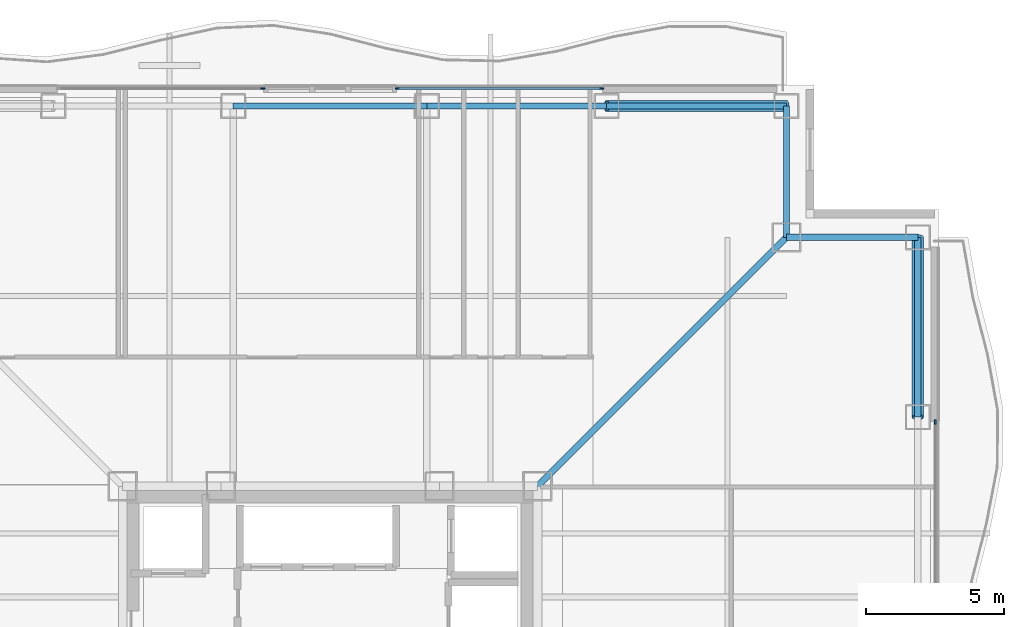
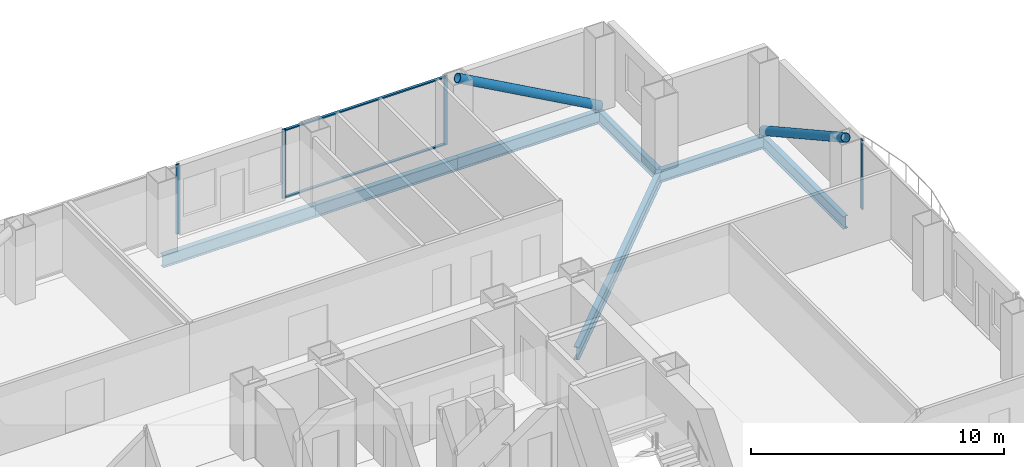
# One storey, part 10 of 18: 8 members, 7 beams, 3 elements without a shape of their own.
"""IFC4 building model written with IfcOpenShell, lengths in metres."""

from ifc_helpers import new_model, si_unit, direction, frame, origin, origin_2d, place, context, subcontext, project, spatial, rectangle, hollow_circle, i_section, extrude, material, layer, layer_set, material_profile, profile_set, type_object, element, aggregate, save


model = new_model("IFC4")

# Units and contexts
model_context = context("Model", 3, precision=1e-05, world=origin(), true_north=direction((0.0, 1.0)))
body_context = subcontext(model_context, "Body", "Model", "MODEL_VIEW")
ifc_project = project(units=[si_unit("LENGTHUNIT", "METRE"), si_unit("AREAUNIT", "SQUARE_METRE"), si_unit("VOLUMEUNIT", "CUBIC_METRE"), si_unit("PLANEANGLEUNIT", "RADIAN"), si_unit("MASSUNIT", "GRAM", prefix="KILO")], contexts=[model_context])

# Site, building, storey
site_placement = place(None, origin())
site = spatial("IfcSite", under=ifc_project, at=site_placement, CompositionType="ELEMENT")
building_placement = place(site_placement, origin())
building = spatial("IfcBuilding", under=site, at=building_placement, Name="Trevonay Congress Spire", CompositionType="ELEMENT")
storey_placement = place(building_placement, frame((0.0, 0.0, 122.800048828125)))
storey = spatial("IfcBuildingStorey", under=building, at=storey_placement, Name="L31", CompositionType="ELEMENT", Elevation=122.800048828125)

# Beams
ifc_material_1 = material(Name="Steel ASTM A572 Grade 50", Category="steel")
ifc_material_profile_1 = material_profile(ifc_material_1, i_section(OverallWidth=0.22998046875, OverallDepth=0.616943359375, WebThickness=0.01318359375, FlangeThickness=0.022216796875, FilletRadius=0.01611328125, at=origin_2d()), Name="W610x140")
ifc_profile_set_1 = profile_set([ifc_material_profile_1], Name="Steel ASTM A572 Grade 50")
beam_type_1 = type_object("IfcBeamType", Name="BM-GIRD-W610X140", PredefinedType="BEAM", material=ifc_profile_set_1)
beam_1_placement = place(storey_placement, frame((7.5, 7.5, -0.548583984375), z_axis=(0.707106781187, 0.707106781187, 0.0), x_axis=(-0.707106781187, 0.707106781187, 0.0)))
element("IfcBeam", 1, at=beam_1_placement, inside=storey, type_object=beam_type_1, Name="L31 structural beam BM-L31-CDNE", PredefinedType="BEAM", context=body_context, shape_type="SweptSolid", body=[
    extrude(i_section(OverallWidth=0.22998046875, OverallDepth=0.616943359375, WebThickness=0.01318359375, FlangeThickness=0.022216796875, FilletRadius=0.01611328125, at=origin_2d()), origin(), (0.0, 0.0, 1.0), 12.72802734375),
])
ifc_material_profile_2 = material_profile(ifc_material_1, i_section(OverallWidth=0.22802734375, OverallDepth=0.60791015625, WebThickness=0.01123046875, FlangeThickness=0.017333984375, FilletRadius=0.01611328125, at=origin_2d()), Name="W610x113")
ifc_profile_set_2 = profile_set([ifc_material_profile_2], Name="Steel ASTM A572 Grade 50")
beam_type_2 = type_object("IfcBeamType", Name="BM-RING-W610X113", PredefinedType="BEAM", material=ifc_profile_set_2)
beam_2_placement = place(storey_placement, frame((-3.5, 21.25, -0.5439453125), z_axis=(1.0, 0.0, 0.0), x_axis=(0.0, 1.0, 0.0)))
element("IfcBeam", 2, at=beam_2_placement, inside=storey, type_object=beam_type_2, Name="L31 structural beam BM-L31-PN3", PredefinedType="BEAM", context=body_context, shape_type="SweptSolid", body=[
    extrude(i_section(OverallWidth=0.22802734375, OverallDepth=0.60791015625, WebThickness=0.01123046875, FlangeThickness=0.017333984375, FilletRadius=0.01611328125, at=origin_2d()), origin(), (0.0, 0.0, 1.0), 7.0),
])
for number, where, z_axis, x_axis, name in (
    (3, (3.5, 21.25, -0.5439453125), (1.0, 0.0, 0.0), (0.0, 1.0, 0.0), "L31 structural beam BM-L31-PN4"),
    (4, (10.0, 21.25, -0.5439453125), (1.0, 0.0, 0.0), (0.0, 1.0, 0.0), "L31 structural beam BM-L31-PN5"),
    (5, (21.25, 10.0, -0.5439453125), (0.0, 1.0, 0.0), (-1.0, 0.0, 0.0), "L31 structural beam BM-L31-PE5"),
):
    element("IfcBeam", number, at=place(storey_placement, frame(where, z_axis=z_axis, x_axis=x_axis)), inside=storey, type_object=beam_type_2, Name=name, PredefinedType="BEAM", context=body_context, shape_type="SweptSolid", body=[
        extrude(i_section(OverallWidth=0.22802734375, OverallDepth=0.60791015625, WebThickness=0.01123046875, FlangeThickness=0.017333984375, FilletRadius=0.01611328125, at=origin_2d()), origin(), (0.0, 0.0, 1.0), 6.5),
    ])
for number, where, z_axis, x_axis, name in (
    (6, (16.5, 21.25, -0.5439453125), (0.0, -1.0, 0.0), (1.0, 0.0, 0.0), "L31 structural beam BM-L31-N1NE"),
    (7, (21.25, 16.5, -0.5439453125), (-1.0, 0.0, 0.0), (0.0, -1.0, 0.0), "L31 structural beam BM-L31-N2NE"),
):
    element("IfcBeam", number, at=place(storey_placement, frame(where, z_axis=z_axis, x_axis=x_axis)), inside=storey, type_object=beam_type_2, Name=name, PredefinedType="BEAM", context=body_context, shape_type="SweptSolid", body=[
        extrude(i_section(OverallWidth=0.22802734375, OverallDepth=0.60791015625, WebThickness=0.01123046875, FlangeThickness=0.017333984375, FilletRadius=0.01611328125, at=origin_2d()), origin(), (0.0, 0.0, 1.0), 4.75),
    ])

# Curtain wall, member
ifc_material_2 = material(Name="Pale Anodised Aluminium EN AW-6063-T6", Category="aluminium")
ifc_layer = layer(ifc_material_2, 0.175048828125, Name="Pale Anodised Aluminium EN AW-6063-T6")
ifc_layer_set = layer_set([ifc_layer], Name="Pale Anodised Aluminium EN AW-6063-T6")
curtain_wall_type = type_object("IfcCurtainWallType", Name="CW-SYS03-CONGRESS-PALE-METAL", PredefinedType="NOTDEFINED", material=ifc_layer_set)
curtain_wall_1_placement = place(storey_placement, origin())
curtain_wall_1 = element("IfcCurtainWall", 8, at=curtain_wall_1_placement, inside=storey, type_object=curtain_wall_type, Name="L31 NA unitised curtain wall", PredefinedType="NOTDEFINED")
ifc_material_profile_3 = material_profile(ifc_material_2, rectangle(XDim=0.06005859375, YDim=0.159912109375, at=origin_2d()), Name="CW-MULLION-160-ALUMINIUM")
ifc_profile_set_3 = profile_set([ifc_material_profile_3], Name="Pale Anodised Aluminium EN AW-6063-T6")
member_type_1 = type_object("IfcMemberType", Name="CW-MULLION-160-ALUMINIUM", PredefinedType="MULLION", material=ifc_profile_set_3)
member_1_placement = place(storey_placement, frame((-2.429931640625, 21.8798828125, 0.0), z_axis=(0.0, 0.0, 1.0), x_axis=(0.0, 1.0, 0.0)))
member_1 = element("IfcMember", 9, at=member_1_placement, type_object=member_type_1, Name="CW03 mullion 2", PredefinedType="MULLION", context=body_context, shape_type="SweptSolid", body=[
    extrude(rectangle(XDim=0.06005859375, YDim=0.159912109375, at=origin_2d()), origin(), (0.0, 0.0, 1.0), 3.35986328125),
])
aggregate(curtain_wall_1, [member_1])

# Curtain wall, members
curtain_wall_2_placement = place(storey_placement, origin())
curtain_wall_2 = element("IfcCurtainWall", 10, at=curtain_wall_2_placement, inside=storey, type_object=curtain_wall_type, Name="L31 NB unitised curtain wall", PredefinedType="NOTDEFINED")
member_2_placement = place(storey_placement, frame((2.429931640625, 21.8798828125, 0.0), z_axis=(0.0, 0.0, 1.0), x_axis=(0.0, 1.0, 0.0)))
member_2 = element("IfcMember", 11, at=member_2_placement, type_object=member_type_1, Name="CW03 mullion 1", PredefinedType="MULLION", context=body_context, shape_type="SweptSolid", body=[
    extrude(rectangle(XDim=0.06005859375, YDim=0.159912109375, at=origin_2d()), origin(), (0.0, 0.0, 1.0), 3.35986328125),
])
member_3_placement = place(storey_placement, frame((9.820068359375, 21.8798828125, 0.0), z_axis=(0.0, 0.0, 1.0), x_axis=(0.0, 1.0, 0.0)))
member_3 = element("IfcMember", 12, at=member_3_placement, type_object=member_type_1, Name="CW03 mullion 2", PredefinedType="MULLION", context=body_context, shape_type="SweptSolid", body=[
    extrude(rectangle(XDim=0.06005859375, YDim=0.159912109375, at=origin_2d()), origin(), (0.0, 0.0, 1.0), 3.35986328125),
])

# Curtain wall, member
curtain_wall_3_placement = place(storey_placement, origin())
curtain_wall_3 = element("IfcCurtainWall", 13, at=curtain_wall_3_placement, inside=storey, type_object=curtain_wall_type, Name="L31 EB unitised curtain wall", PredefinedType="NOTDEFINED")
member_4_placement = place(storey_placement, frame((21.8798828125, 9.820068359375, 0.0), z_axis=(0.0, 0.0, 1.0), x_axis=(-1.0, 0.0, 0.0)))
member_4 = element("IfcMember", 14, at=member_4_placement, type_object=member_type_1, Name="CW03 mullion 2", PredefinedType="MULLION", context=body_context, shape_type="SweptSolid", body=[
    extrude(rectangle(XDim=0.06005859375, YDim=0.159912109375, at=origin_2d()), origin(), (0.0, 0.0, 1.0), 3.35986328125),
])
aggregate(curtain_wall_3, [member_4])

# Member
ifc_material_profile_4 = material_profile(ifc_material_2, rectangle(XDim=0.1201171875, YDim=0.06005859375, at=origin_2d()), Name="CW-TRANSOM-120-ALUMINIUM")
ifc_profile_set_4 = profile_set([ifc_material_profile_4], Name="Pale Anodised Aluminium EN AW-6063-T6")
member_type_2 = type_object("IfcMemberType", Name="CW-TRANSOM-120-ALUMINIUM", PredefinedType="USERDEFINED", material=ifc_profile_set_4)
member_5_placement = place(storey_placement, frame((2.4599609375, 21.8798828125, 0.06005859375), z_axis=(1.0, 0.0, 0.0), x_axis=(0.0, 1.0, 0.0)))
member_5 = element("IfcMember", 15, at=member_5_placement, type_object=member_type_2, Name="CW03 transom 1.1", ObjectType="TRANSOM", PredefinedType="USERDEFINED", context=body_context, shape_type="SweptSolid", body=[
    extrude(rectangle(XDim=0.1201171875, YDim=0.06005859375, at=origin_2d()), origin(), (0.0, 0.0, 1.0), 7.330078125),
])

member_6_placement = place(storey_placement, frame((2.4599609375, 21.8798828125, 3.300048828125), z_axis=(1.0, 0.0, 0.0), x_axis=(0.0, 1.0, 0.0)))
member_6 = element("IfcMember", 16, at=member_6_placement, type_object=member_type_2, Name="CW03 transom 1.2", ObjectType="TRANSOM", PredefinedType="USERDEFINED", context=body_context, shape_type="SweptSolid", body=[
    extrude(rectangle(XDim=0.1201171875, YDim=0.06005859375, at=origin_2d()), origin(), (0.0, 0.0, 1.0), 7.330078125),
])

aggregate(curtain_wall_2, [member_2, member_3, member_5, member_6])

# Members
ifc_material_3 = material(Name="Steel ASTM A500 Grade C", Category="steel")
ifc_material_profile_5 = material_profile(ifc_material_3, hollow_circle(Radius=0.203125, WallThickness=0.02001953125, at=origin_2d()), Name="CHS 406.4x20")
ifc_profile_set_5 = profile_set([ifc_material_profile_5], Name="Steel ASTM A500 Grade C")
member_type_3 = type_object("IfcMemberType", Name="MBR-TUBE-CHS406", PredefinedType="BRACE", material=ifc_profile_set_5)
for number, where, z_axis, x_axis, name in (
    (17, (16.5, 21.25, -0.050048828125), (-0.874785785626, 0.0, 0.484509885623), (0.0, -1.0, 0.0), "L31 perimeter braced-tube diagonal N4"),
    (18, (21.25, 16.5, -0.050048828125), (0.0, -0.874785785626, 0.484509885623), (1.0, 0.0, 0.0), "L31 perimeter braced-tube diagonal E4"),
):
    element("IfcMember", number, at=place(storey_placement, frame(where, z_axis=z_axis, x_axis=x_axis)), inside=storey, type_object=member_type_3, Name=name, PredefinedType="BRACE", context=body_context, shape_type="SweptSolid", body=[
        extrude(hollow_circle(Radius=0.203125, WallThickness=0.02001953125, at=origin_2d()), origin(), (0.0, 0.0, 1.0), 7.430419921875),
    ])

save(model, "model.ifc")
